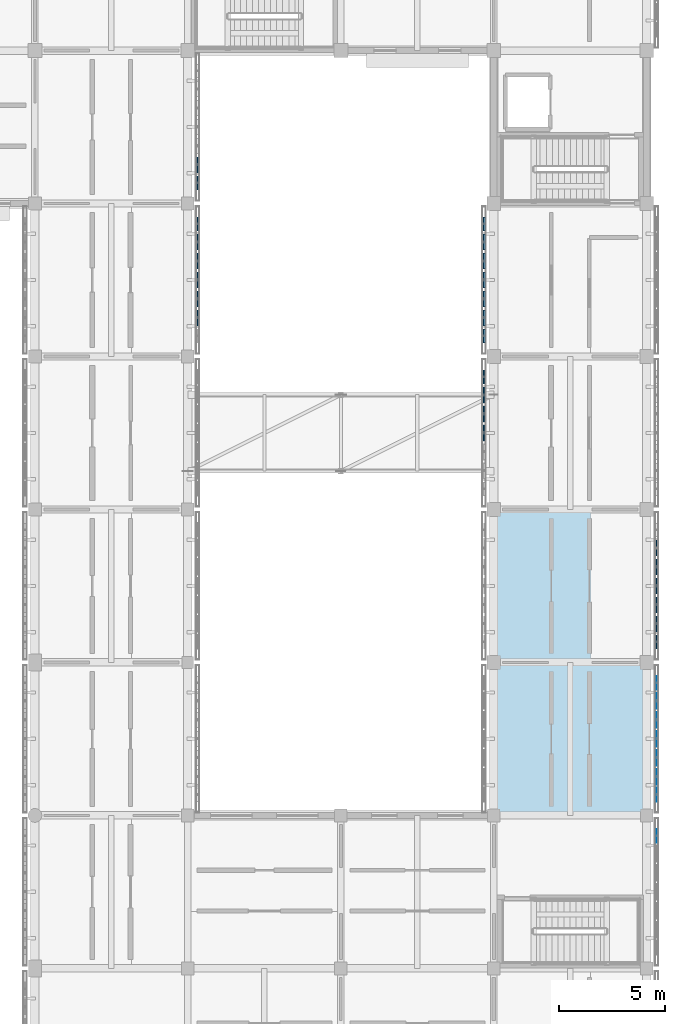
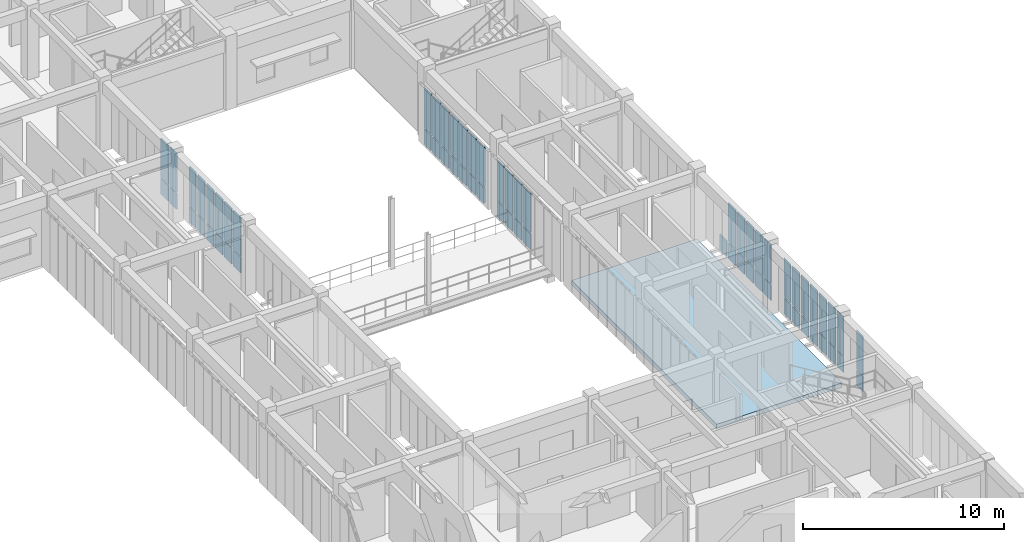
# One storey, part 110 of 171: 65 plates, 1 slab, 7 elements without a shape of their own.
"""IFC4 building model written with IfcOpenShell, lengths in metres."""

from ifc_helpers import new_model, si_unit, direction, frame, origin, origin_2d, place, context, subcontext, project, spatial, polyline, rectangle, outline, extrude, material, layer, layer_set, type_object, element, aggregate, save


model = new_model("IFC4")

# Units and contexts
model_context = context("Model", 3, precision=1e-05, world=origin(), true_north=direction((0.0, 1.0)))
body_context = subcontext(model_context, "Body", "Model", "MODEL_VIEW")
ifc_project = project(units=[si_unit("LENGTHUNIT", "METRE"), si_unit("AREAUNIT", "SQUARE_METRE"), si_unit("VOLUMEUNIT", "CUBIC_METRE"), si_unit("PLANEANGLEUNIT", "RADIAN"), si_unit("MASSUNIT", "GRAM", prefix="KILO")], contexts=[model_context])

# Site, building, storey
site_placement = place(None, origin())
site = spatial("IfcSite", under=ifc_project, at=site_placement, CompositionType="ELEMENT")
building_placement = place(site_placement, origin())
building = spatial("IfcBuilding", under=site, at=building_placement, Name="Aldebral Square Health Centre", CompositionType="ELEMENT")
storey_placement = place(building_placement, frame((0.0, 0.0, 4.5)))
storey = spatial("IfcBuildingStorey", under=building, at=storey_placement, Name="L01", CompositionType="ELEMENT", Elevation=4.5)

# Curtain wall, plates
ifc_material_1 = material(Name="Aluminium and low-E solar glass", Category="aluminium")
curtain_wall_type = type_object("IfcCurtainWallType", Name="CW-FIN-SYS", PredefinedType="USERDEFINED", material=ifc_material_1)
curtain_wall_1_placement = place(storey_placement, origin())
curtain_wall_1 = element("IfcCurtainWall", 1, at=curtain_wall_1_placement, inside=storey, type_object=curtain_wall_type, Name="L01 V5 finned curtain wall L01-V5-22-08-E", ObjectType="SOLAR_CURTAIN_WALL", PredefinedType="USERDEFINED")
ifc_material_2 = material(Name="Solar-control low-E double glass", Category="glass")
ifc_layer_1 = layer(ifc_material_2, 0.02001953125, Name="Solar-control low-E double glass", Category="glass")
ifc_layer_set_1 = layer_set([ifc_layer_1], Name="Solar-control low-E double glass")
plate_type_1 = type_object("IfcPlateType", Name="CWP-GLZ-1", PredefinedType="CURTAIN_PANEL", material=ifc_layer_set_1)
plate_1_placement = place(storey_placement, frame((166.06005859375, 63.834228515625, 0.074951171875), z_axis=(0.0, 0.0, 1.0), x_axis=(0.0, 1.0, 0.0)))
plate_1 = element("IfcPlate", 2, at=plate_1_placement, type_object=plate_type_1, Name="CW1 panel 7.1", PredefinedType="CURTAIN_PANEL", context=body_context, shape_type="SweptSolid", body=[
    extrude(rectangle(XDim=0.6513671875, YDim=0.02001953125, at=origin_2d()), origin(), (0.0, 0.0, 1.0), 0.9375),
])
plate_2_placement = place(storey_placement, frame((166.06005859375, 63.834228515625, 1.087646484375), z_axis=(0.0, 0.0, 1.0), x_axis=(0.0, 1.0, 0.0)))
plate_2 = element("IfcPlate", 3, at=plate_2_placement, type_object=plate_type_1, Name="CW1 panel 7.2", PredefinedType="CURTAIN_PANEL", context=body_context, shape_type="SweptSolid", body=[
    extrude(rectangle(XDim=0.6513671875, YDim=0.02001953125, at=origin_2d()), origin(), (0.0, 0.0, 1.0), 2.357421875),
])
aggregate(curtain_wall_1, [plate_1, plate_2])

curtain_wall_2_placement = place(storey_placement, origin())
curtain_wall_2 = element("IfcCurtainWall", 4, at=curtain_wall_2_placement, inside=storey, type_object=curtain_wall_type, Name="L01 V5 finned curtain wall L01-V5-22-09-E", ObjectType="SOLAR_CURTAIN_WALL", PredefinedType="USERDEFINED")
ifc_layer_2 = layer(ifc_material_2, 0.0400390625, Name="Solar-control low-E double glass", Category="glass")
ifc_layer_set_2 = layer_set([ifc_layer_2], Name="Solar-control low-E double glass")
plate_type_2 = type_object("IfcPlateType", Name="CWP-GLZ-3", PredefinedType="CURTAIN_PANEL", material=ifc_layer_set_2)
plate_3_placement = place(storey_placement, frame((166.06005859375, 65.765625, 0.074951171875), z_axis=(0.0, 0.0, 1.0), x_axis=(0.0, 1.0, 0.0)))
plate_3 = element("IfcPlate", 5, at=plate_3_placement, type_object=plate_type_2, Name="CW1 panel 1.1", PredefinedType="CURTAIN_PANEL", context=body_context, shape_type="SweptSolid", body=[
    extrude(rectangle(XDim=0.6513671875, YDim=0.0400390625, at=origin_2d()), origin(), (0.0, 0.0, 1.0), 0.9375),
])
plate_4_placement = place(storey_placement, frame((166.06005859375, 65.765625, 1.087646484375), z_axis=(0.0, 0.0, 1.0), x_axis=(0.0, 1.0, 0.0)))
plate_4 = element("IfcPlate", 6, at=plate_4_placement, type_object=plate_type_2, Name="CW1 panel 1.2", PredefinedType="CURTAIN_PANEL", context=body_context, shape_type="SweptSolid", body=[
    extrude(rectangle(XDim=0.6513671875, YDim=0.0400390625, at=origin_2d()), origin(), (0.0, 0.0, 1.0), 2.357421875),
])
plate_5_placement = place(storey_placement, frame((166.06005859375, 66.6171875, 0.074951171875), z_axis=(0.0, 0.0, 1.0), x_axis=(0.0, 1.0, 0.0)))
plate_5 = element("IfcPlate", 7, at=plate_5_placement, type_object=plate_type_2, Name="CW1 panel 2.1", PredefinedType="CURTAIN_PANEL", context=body_context, shape_type="SweptSolid", body=[
    extrude(rectangle(XDim=0.7314453125, YDim=0.0400390625, at=origin_2d()), origin(), (0.0, 0.0, 1.0), 0.9375),
])
plate_6_placement = place(storey_placement, frame((166.06005859375, 66.6171875, 1.087646484375), z_axis=(0.0, 0.0, 1.0), x_axis=(0.0, 1.0, 0.0)))
plate_6 = element("IfcPlate", 8, at=plate_6_placement, type_object=plate_type_2, Name="CW1 panel 2.2", PredefinedType="CURTAIN_PANEL", context=body_context, shape_type="SweptSolid", body=[
    extrude(rectangle(XDim=0.7314453125, YDim=0.0400390625, at=origin_2d()), origin(), (0.0, 0.0, 1.0), 2.357421875),
])
plate_7_placement = place(storey_placement, frame((166.06005859375, 67.508544921875, 0.074951171875), z_axis=(0.0, 0.0, 1.0), x_axis=(0.0, 1.0, 0.0)))
plate_7 = element("IfcPlate", 9, at=plate_7_placement, type_object=plate_type_2, Name="CW1 panel 3.1", PredefinedType="CURTAIN_PANEL", context=body_context, shape_type="SweptSolid", body=[
    extrude(rectangle(XDim=0.7314453125, YDim=0.0400390625, at=origin_2d()), origin(), (0.0, 0.0, 1.0), 0.9375),
])
plate_8_placement = place(storey_placement, frame((166.06005859375, 67.508544921875, 1.087646484375), z_axis=(0.0, 0.0, 1.0), x_axis=(0.0, 1.0, 0.0)))
plate_8 = element("IfcPlate", 10, at=plate_8_placement, type_object=plate_type_2, Name="CW1 panel 3.2", PredefinedType="CURTAIN_PANEL", context=body_context, shape_type="SweptSolid", body=[
    extrude(rectangle(XDim=0.7314453125, YDim=0.0400390625, at=origin_2d()), origin(), (0.0, 0.0, 1.0), 2.357421875),
])
plate_9_placement = place(storey_placement, frame((166.06005859375, 68.39990234375, 0.074951171875), z_axis=(0.0, 0.0, 1.0), x_axis=(0.0, 1.0, 0.0)))
plate_9 = element("IfcPlate", 11, at=plate_9_placement, type_object=plate_type_2, Name="CW1 panel 4.1", PredefinedType="CURTAIN_PANEL", context=body_context, shape_type="SweptSolid", body=[
    extrude(rectangle(XDim=0.7314453125, YDim=0.0400390625, at=origin_2d()), origin(), (0.0, 0.0, 1.0), 0.9375),
])
plate_10_placement = place(storey_placement, frame((166.06005859375, 68.39990234375, 1.087646484375), z_axis=(0.0, 0.0, 1.0), x_axis=(0.0, 1.0, 0.0)))
plate_10 = element("IfcPlate", 12, at=plate_10_placement, type_object=plate_type_2, Name="CW1 panel 4.2", PredefinedType="CURTAIN_PANEL", context=body_context, shape_type="SweptSolid", body=[
    extrude(rectangle(XDim=0.7314453125, YDim=0.0400390625, at=origin_2d()), origin(), (0.0, 0.0, 1.0), 2.357421875),
])
plate_11_placement = place(storey_placement, frame((166.06005859375, 69.29150390625, 0.074951171875), z_axis=(0.0, 0.0, 1.0), x_axis=(0.0, 1.0, 0.0)))
plate_11 = element("IfcPlate", 13, at=plate_11_placement, type_object=plate_type_2, Name="CW1 panel 5.1", PredefinedType="CURTAIN_PANEL", context=body_context, shape_type="SweptSolid", body=[
    extrude(rectangle(XDim=0.7314453125, YDim=0.0400390625, at=origin_2d()), origin(), (0.0, 0.0, 1.0), 0.9375),
])
plate_12_placement = place(storey_placement, frame((166.06005859375, 69.29150390625, 1.087646484375), z_axis=(0.0, 0.0, 1.0), x_axis=(0.0, 1.0, 0.0)))
plate_12 = element("IfcPlate", 14, at=plate_12_placement, type_object=plate_type_2, Name="CW1 panel 5.2", PredefinedType="CURTAIN_PANEL", context=body_context, shape_type="SweptSolid", body=[
    extrude(rectangle(XDim=0.7314453125, YDim=0.0400390625, at=origin_2d()), origin(), (0.0, 0.0, 1.0), 2.357421875),
])
plate_13_placement = place(storey_placement, frame((166.06005859375, 70.182861328125, 0.074951171875), z_axis=(0.0, 0.0, 1.0), x_axis=(0.0, 1.0, 0.0)))
plate_13 = element("IfcPlate", 15, at=plate_13_placement, type_object=plate_type_2, Name="CW1 panel 6.1", PredefinedType="CURTAIN_PANEL", context=body_context, shape_type="SweptSolid", body=[
    extrude(rectangle(XDim=0.7314453125, YDim=0.0400390625, at=origin_2d()), origin(), (0.0, 0.0, 1.0), 0.9375),
])
plate_14_placement = place(storey_placement, frame((166.06005859375, 70.182861328125, 1.087646484375), z_axis=(0.0, 0.0, 1.0), x_axis=(0.0, 1.0, 0.0)))
plate_14 = element("IfcPlate", 16, at=plate_14_placement, type_object=plate_type_2, Name="CW1 panel 6.2", PredefinedType="CURTAIN_PANEL", context=body_context, shape_type="SweptSolid", body=[
    extrude(rectangle(XDim=0.7314453125, YDim=0.0400390625, at=origin_2d()), origin(), (0.0, 0.0, 1.0), 2.357421875),
])
plate_15_placement = place(storey_placement, frame((166.06005859375, 71.0341796875, 0.074951171875), z_axis=(0.0, 0.0, 1.0), x_axis=(0.0, 1.0, 0.0)))
plate_15 = element("IfcPlate", 17, at=plate_15_placement, type_object=plate_type_2, Name="CW1 panel 7.1", PredefinedType="CURTAIN_PANEL", context=body_context, shape_type="SweptSolid", body=[
    extrude(rectangle(XDim=0.6513671875, YDim=0.0400390625, at=origin_2d()), origin(), (0.0, 0.0, 1.0), 0.9375),
])
plate_16_placement = place(storey_placement, frame((166.06005859375, 71.0341796875, 1.087646484375), z_axis=(0.0, 0.0, 1.0), x_axis=(0.0, 1.0, 0.0)))
plate_16 = element("IfcPlate", 18, at=plate_16_placement, type_object=plate_type_2, Name="CW1 panel 7.2", PredefinedType="CURTAIN_PANEL", context=body_context, shape_type="SweptSolid", body=[
    extrude(rectangle(XDim=0.6513671875, YDim=0.0400390625, at=origin_2d()), origin(), (0.0, 0.0, 1.0), 2.357421875),
])
aggregate(curtain_wall_2, [plate_3, plate_4, plate_5, plate_6, plate_7, plate_8, plate_9, plate_10, plate_11, plate_12, plate_13, plate_14, plate_15, plate_16])

curtain_wall_3_placement = place(storey_placement, origin())
curtain_wall_3 = element("IfcCurtainWall", 19, at=curtain_wall_3_placement, inside=storey, type_object=curtain_wall_type, Name="L01 V5 finned curtain wall L01-V5-19-12-E", ObjectType="SOLAR_CURTAIN_WALL", PredefinedType="USERDEFINED")
ifc_layer_3 = layer(ifc_material_2, 0.06005859375, Name="Solar-control low-E double glass", Category="glass")
ifc_layer_set_3 = layer_set([ifc_layer_3], Name="Solar-control low-E double glass")
plate_type_3 = type_object("IfcPlateType", Name="CWP-GLZ-5", PredefinedType="CURTAIN_PANEL", material=ifc_layer_set_3)
plate_17_placement = place(storey_placement, frame((144.4599609375, 88.217041015625, 0.074951171875), z_axis=(0.0, 0.0, 1.0), x_axis=(0.0, 1.0, 0.0)))
plate_17 = element("IfcPlate", 20, at=plate_17_placement, type_object=plate_type_3, Name="CW1 panel 2.1", PredefinedType="CURTAIN_PANEL", context=body_context, shape_type="SweptSolid", body=[
    extrude(rectangle(XDim=0.7314453125, YDim=0.06005859375, at=origin_2d()), origin(), (0.0, 0.0, 1.0), 0.9375),
])
plate_18_placement = place(storey_placement, frame((144.4599609375, 88.217041015625, 1.087646484375), z_axis=(0.0, 0.0, 1.0), x_axis=(0.0, 1.0, 0.0)))
plate_18 = element("IfcPlate", 21, at=plate_18_placement, type_object=plate_type_3, Name="CW1 panel 2.2", PredefinedType="CURTAIN_PANEL", context=body_context, shape_type="SweptSolid", body=[
    extrude(rectangle(XDim=0.7314453125, YDim=0.06005859375, at=origin_2d()), origin(), (0.0, 0.0, 1.0), 2.357421875),
])
plate_19_placement = place(storey_placement, frame((144.4599609375, 89.108642578125, 0.074951171875), z_axis=(0.0, 0.0, 1.0), x_axis=(0.0, 1.0, 0.0)))
plate_19 = element("IfcPlate", 22, at=plate_19_placement, type_object=plate_type_3, Name="CW1 panel 3.1", PredefinedType="CURTAIN_PANEL", context=body_context, shape_type="SweptSolid", body=[
    extrude(rectangle(XDim=0.7314453125, YDim=0.06005859375, at=origin_2d()), origin(), (0.0, 0.0, 1.0), 0.9375),
])
plate_20_placement = place(storey_placement, frame((144.4599609375, 89.108642578125, 1.087646484375), z_axis=(0.0, 0.0, 1.0), x_axis=(0.0, 1.0, 0.0)))
plate_20 = element("IfcPlate", 23, at=plate_20_placement, type_object=plate_type_3, Name="CW1 panel 3.2", PredefinedType="CURTAIN_PANEL", context=body_context, shape_type="SweptSolid", body=[
    extrude(rectangle(XDim=0.7314453125, YDim=0.06005859375, at=origin_2d()), origin(), (0.0, 0.0, 1.0), 2.357421875),
])
plate_21_placement = place(storey_placement, frame((144.4599609375, 90.0, 0.074951171875), z_axis=(0.0, 0.0, 1.0), x_axis=(0.0, 1.0, 0.0)))
plate_21 = element("IfcPlate", 24, at=plate_21_placement, type_object=plate_type_3, Name="CW1 panel 4.1", PredefinedType="CURTAIN_PANEL", context=body_context, shape_type="SweptSolid", body=[
    extrude(rectangle(XDim=0.7314453125, YDim=0.06005859375, at=origin_2d()), origin(), (0.0, 0.0, 1.0), 0.9375),
])
plate_22_placement = place(storey_placement, frame((144.4599609375, 90.0, 1.087646484375), z_axis=(0.0, 0.0, 1.0), x_axis=(0.0, 1.0, 0.0)))
plate_22 = element("IfcPlate", 25, at=plate_22_placement, type_object=plate_type_3, Name="CW1 panel 4.2", PredefinedType="CURTAIN_PANEL", context=body_context, shape_type="SweptSolid", body=[
    extrude(rectangle(XDim=0.7314453125, YDim=0.06005859375, at=origin_2d()), origin(), (0.0, 0.0, 1.0), 2.357421875),
])
plate_23_placement = place(storey_placement, frame((144.4599609375, 90.891357421875, 0.074951171875), z_axis=(0.0, 0.0, 1.0), x_axis=(0.0, 1.0, 0.0)))
plate_23 = element("IfcPlate", 26, at=plate_23_placement, type_object=plate_type_3, Name="CW1 panel 5.1", PredefinedType="CURTAIN_PANEL", context=body_context, shape_type="SweptSolid", body=[
    extrude(rectangle(XDim=0.7314453125, YDim=0.06005859375, at=origin_2d()), origin(), (0.0, 0.0, 1.0), 0.9375),
])
plate_24_placement = place(storey_placement, frame((144.4599609375, 90.891357421875, 1.087646484375), z_axis=(0.0, 0.0, 1.0), x_axis=(0.0, 1.0, 0.0)))
plate_24 = element("IfcPlate", 27, at=plate_24_placement, type_object=plate_type_3, Name="CW1 panel 5.2", PredefinedType="CURTAIN_PANEL", context=body_context, shape_type="SweptSolid", body=[
    extrude(rectangle(XDim=0.7314453125, YDim=0.06005859375, at=origin_2d()), origin(), (0.0, 0.0, 1.0), 2.357421875),
])
plate_25_placement = place(storey_placement, frame((144.4599609375, 91.782958984375, 0.074951171875), z_axis=(0.0, 0.0, 1.0), x_axis=(0.0, 1.0, 0.0)))
plate_25 = element("IfcPlate", 28, at=plate_25_placement, type_object=plate_type_3, Name="CW1 panel 6.1", PredefinedType="CURTAIN_PANEL", context=body_context, shape_type="SweptSolid", body=[
    extrude(rectangle(XDim=0.7314453125, YDim=0.06005859375, at=origin_2d()), origin(), (0.0, 0.0, 1.0), 0.9375),
])
plate_26_placement = place(storey_placement, frame((144.4599609375, 91.782958984375, 1.087646484375), z_axis=(0.0, 0.0, 1.0), x_axis=(0.0, 1.0, 0.0)))
plate_26 = element("IfcPlate", 29, at=plate_26_placement, type_object=plate_type_3, Name="CW1 panel 6.2", PredefinedType="CURTAIN_PANEL", context=body_context, shape_type="SweptSolid", body=[
    extrude(rectangle(XDim=0.7314453125, YDim=0.06005859375, at=origin_2d()), origin(), (0.0, 0.0, 1.0), 2.357421875),
])
plate_27_placement = place(storey_placement, frame((144.4599609375, 92.63427734375, 0.074951171875), z_axis=(0.0, 0.0, 1.0), x_axis=(0.0, 1.0, 0.0)))
plate_27 = element("IfcPlate", 30, at=plate_27_placement, type_object=plate_type_3, Name="CW1 panel 7.1", PredefinedType="CURTAIN_PANEL", context=body_context, shape_type="SweptSolid", body=[
    extrude(rectangle(XDim=0.6513671875, YDim=0.06005859375, at=origin_2d()), origin(), (0.0, 0.0, 1.0), 0.9375),
])
plate_28_placement = place(storey_placement, frame((144.4599609375, 92.63427734375, 1.087646484375), z_axis=(0.0, 0.0, 1.0), x_axis=(0.0, 1.0, 0.0)))
plate_28 = element("IfcPlate", 31, at=plate_28_placement, type_object=plate_type_3, Name="CW1 panel 7.2", PredefinedType="CURTAIN_PANEL", context=body_context, shape_type="SweptSolid", body=[
    extrude(rectangle(XDim=0.6513671875, YDim=0.06005859375, at=origin_2d()), origin(), (0.0, 0.0, 1.0), 2.357421875),
])
aggregate(curtain_wall_3, [plate_17, plate_18, plate_19, plate_20, plate_21, plate_22, plate_23, plate_24, plate_25, plate_26, plate_27, plate_28])

curtain_wall_4_placement = place(storey_placement, origin())
curtain_wall_4 = element("IfcCurtainWall", 32, at=curtain_wall_4_placement, inside=storey, type_object=curtain_wall_type, Name="L01 V5 finned curtain wall L01-V5-22-10-E", ObjectType="SOLAR_CURTAIN_WALL", PredefinedType="USERDEFINED")
plate_29_placement = place(storey_placement, frame((166.06005859375, 72.9658203125, 0.074951171875), z_axis=(0.0, 0.0, 1.0), x_axis=(0.0, 1.0, 0.0)))
plate_29 = element("IfcPlate", 33, at=plate_29_placement, type_object=plate_type_3, Name="CW1 panel 1.1", PredefinedType="CURTAIN_PANEL", context=body_context, shape_type="SweptSolid", body=[
    extrude(rectangle(XDim=0.6513671875, YDim=0.06005859375, at=origin_2d()), origin(), (0.0, 0.0, 1.0), 0.9375),
])
plate_30_placement = place(storey_placement, frame((166.06005859375, 72.9658203125, 1.087646484375), z_axis=(0.0, 0.0, 1.0), x_axis=(0.0, 1.0, 0.0)))
plate_30 = element("IfcPlate", 34, at=plate_30_placement, type_object=plate_type_3, Name="CW1 panel 1.2", PredefinedType="CURTAIN_PANEL", context=body_context, shape_type="SweptSolid", body=[
    extrude(rectangle(XDim=0.6513671875, YDim=0.06005859375, at=origin_2d()), origin(), (0.0, 0.0, 1.0), 2.357421875),
])
plate_31_placement = place(storey_placement, frame((166.06005859375, 73.817138671875, 0.074951171875), z_axis=(0.0, 0.0, 1.0), x_axis=(0.0, 1.0, 0.0)))
plate_31 = element("IfcPlate", 35, at=plate_31_placement, type_object=plate_type_3, Name="CW1 panel 2.1", PredefinedType="CURTAIN_PANEL", context=body_context, shape_type="SweptSolid", body=[
    extrude(rectangle(XDim=0.7314453125, YDim=0.06005859375, at=origin_2d()), origin(), (0.0, 0.0, 1.0), 0.9375),
])
plate_32_placement = place(storey_placement, frame((166.06005859375, 73.817138671875, 1.087646484375), z_axis=(0.0, 0.0, 1.0), x_axis=(0.0, 1.0, 0.0)))
plate_32 = element("IfcPlate", 36, at=plate_32_placement, type_object=plate_type_3, Name="CW1 panel 2.2", PredefinedType="CURTAIN_PANEL", context=body_context, shape_type="SweptSolid", body=[
    extrude(rectangle(XDim=0.7314453125, YDim=0.06005859375, at=origin_2d()), origin(), (0.0, 0.0, 1.0), 2.357421875),
])
plate_33_placement = place(storey_placement, frame((166.06005859375, 74.70849609375, 0.074951171875), z_axis=(0.0, 0.0, 1.0), x_axis=(0.0, 1.0, 0.0)))
plate_33 = element("IfcPlate", 37, at=plate_33_placement, type_object=plate_type_3, Name="CW1 panel 3.1", PredefinedType="CURTAIN_PANEL", context=body_context, shape_type="SweptSolid", body=[
    extrude(rectangle(XDim=0.7314453125, YDim=0.06005859375, at=origin_2d()), origin(), (0.0, 0.0, 1.0), 0.9375),
])
plate_34_placement = place(storey_placement, frame((166.06005859375, 74.70849609375, 1.087646484375), z_axis=(0.0, 0.0, 1.0), x_axis=(0.0, 1.0, 0.0)))
plate_34 = element("IfcPlate", 38, at=plate_34_placement, type_object=plate_type_3, Name="CW1 panel 3.2", PredefinedType="CURTAIN_PANEL", context=body_context, shape_type="SweptSolid", body=[
    extrude(rectangle(XDim=0.7314453125, YDim=0.06005859375, at=origin_2d()), origin(), (0.0, 0.0, 1.0), 2.357421875),
])
plate_35_placement = place(storey_placement, frame((166.06005859375, 75.60009765625, 0.074951171875), z_axis=(0.0, 0.0, 1.0), x_axis=(0.0, 1.0, 0.0)))
plate_35 = element("IfcPlate", 39, at=plate_35_placement, type_object=plate_type_3, Name="CW1 panel 4.1", PredefinedType="CURTAIN_PANEL", context=body_context, shape_type="SweptSolid", body=[
    extrude(rectangle(XDim=0.7314453125, YDim=0.06005859375, at=origin_2d()), origin(), (0.0, 0.0, 1.0), 0.9375),
])
plate_36_placement = place(storey_placement, frame((166.06005859375, 75.60009765625, 1.087646484375), z_axis=(0.0, 0.0, 1.0), x_axis=(0.0, 1.0, 0.0)))
plate_36 = element("IfcPlate", 40, at=plate_36_placement, type_object=plate_type_3, Name="CW1 panel 4.2", PredefinedType="CURTAIN_PANEL", context=body_context, shape_type="SweptSolid", body=[
    extrude(rectangle(XDim=0.7314453125, YDim=0.06005859375, at=origin_2d()), origin(), (0.0, 0.0, 1.0), 2.357421875),
])
plate_37_placement = place(storey_placement, frame((166.06005859375, 76.491455078125, 0.074951171875), z_axis=(0.0, 0.0, 1.0), x_axis=(0.0, 1.0, 0.0)))
plate_37 = element("IfcPlate", 41, at=plate_37_placement, type_object=plate_type_3, Name="CW1 panel 5.1", PredefinedType="CURTAIN_PANEL", context=body_context, shape_type="SweptSolid", body=[
    extrude(rectangle(XDim=0.7314453125, YDim=0.06005859375, at=origin_2d()), origin(), (0.0, 0.0, 1.0), 0.9375),
])
plate_38_placement = place(storey_placement, frame((166.06005859375, 76.491455078125, 1.087646484375), z_axis=(0.0, 0.0, 1.0), x_axis=(0.0, 1.0, 0.0)))
plate_38 = element("IfcPlate", 42, at=plate_38_placement, type_object=plate_type_3, Name="CW1 panel 5.2", PredefinedType="CURTAIN_PANEL", context=body_context, shape_type="SweptSolid", body=[
    extrude(rectangle(XDim=0.7314453125, YDim=0.06005859375, at=origin_2d()), origin(), (0.0, 0.0, 1.0), 2.357421875),
])
plate_39_placement = place(storey_placement, frame((166.06005859375, 77.3828125, 0.074951171875), z_axis=(0.0, 0.0, 1.0), x_axis=(0.0, 1.0, 0.0)))
plate_39 = element("IfcPlate", 43, at=plate_39_placement, type_object=plate_type_3, Name="CW1 panel 6.1", PredefinedType="CURTAIN_PANEL", context=body_context, shape_type="SweptSolid", body=[
    extrude(rectangle(XDim=0.7314453125, YDim=0.06005859375, at=origin_2d()), origin(), (0.0, 0.0, 1.0), 0.9375),
])
aggregate(curtain_wall_4, [plate_29, plate_30, plate_31, plate_32, plate_33, plate_34, plate_35, plate_36, plate_37, plate_38, plate_39])

curtain_wall_5_placement = place(storey_placement, origin())
curtain_wall_5 = element("IfcCurtainWall", 44, at=curtain_wall_5_placement, inside=storey, type_object=curtain_wall_type, Name="L01 V5 finned curtain wall L01-V5-19-13-E", ObjectType="SOLAR_CURTAIN_WALL", PredefinedType="USERDEFINED")
ifc_layer_4 = layer(ifc_material_2, 0.070068359375, Name="Solar-control low-E double glass", Category="glass")
ifc_layer_set_4 = layer_set([ifc_layer_4], Name="Solar-control low-E double glass")
plate_type_4 = type_object("IfcPlateType", Name="CWP-GLZ-6", PredefinedType="CURTAIN_PANEL", material=ifc_layer_set_4)
plate_40_placement = place(storey_placement, frame((144.4599609375, 94.565673828125, 0.074951171875), z_axis=(0.0, 0.0, 1.0), x_axis=(0.0, 1.0, 0.0)))
plate_40 = element("IfcPlate", 45, at=plate_40_placement, type_object=plate_type_4, Name="CW1 panel 1.1", PredefinedType="CURTAIN_PANEL", context=body_context, shape_type="SweptSolid", body=[
    extrude(rectangle(XDim=0.6513671875, YDim=0.070068359375, at=origin_2d()), origin(), (0.0, 0.0, 1.0), 0.9375),
])
plate_41_placement = place(storey_placement, frame((144.4599609375, 94.565673828125, 1.087646484375), z_axis=(0.0, 0.0, 1.0), x_axis=(0.0, 1.0, 0.0)))
plate_41 = element("IfcPlate", 46, at=plate_41_placement, type_object=plate_type_4, Name="CW1 panel 1.2", PredefinedType="CURTAIN_PANEL", context=body_context, shape_type="SweptSolid", body=[
    extrude(rectangle(XDim=0.6513671875, YDim=0.070068359375, at=origin_2d()), origin(), (0.0, 0.0, 1.0), 2.357421875),
])
plate_42_placement = place(storey_placement, frame((144.4599609375, 95.417236328125, 0.074951171875), z_axis=(0.0, 0.0, 1.0), x_axis=(0.0, 1.0, 0.0)))
plate_42 = element("IfcPlate", 47, at=plate_42_placement, type_object=plate_type_4, Name="CW1 panel 2.1", PredefinedType="CURTAIN_PANEL", context=body_context, shape_type="SweptSolid", body=[
    extrude(rectangle(XDim=0.7314453125, YDim=0.070068359375, at=origin_2d()), origin(), (0.0, 0.0, 1.0), 0.9375),
])
plate_43_placement = place(storey_placement, frame((144.4599609375, 95.417236328125, 1.087646484375), z_axis=(0.0, 0.0, 1.0), x_axis=(0.0, 1.0, 0.0)))
plate_43 = element("IfcPlate", 48, at=plate_43_placement, type_object=plate_type_4, Name="CW1 panel 2.2", PredefinedType="CURTAIN_PANEL", context=body_context, shape_type="SweptSolid", body=[
    extrude(rectangle(XDim=0.7314453125, YDim=0.070068359375, at=origin_2d()), origin(), (0.0, 0.0, 1.0), 2.357421875),
])
aggregate(curtain_wall_5, [plate_40, plate_41, plate_42, plate_43])

curtain_wall_6_placement = place(storey_placement, origin())
curtain_wall_6 = element("IfcCurtainWall", 49, at=curtain_wall_6_placement, inside=storey, type_object=curtain_wall_type, Name="L01 V5 finned curtain wall L01-V5-22-11-W", ObjectType="SOLAR_CURTAIN_WALL", PredefinedType="USERDEFINED")
plate_44_placement = place(storey_placement, frame((157.93994140625, 85.434326171875, 0.074951171875), z_axis=(0.0, 0.0, 1.0), x_axis=(0.0, -1.0, 0.0)))
plate_44 = element("IfcPlate", 50, at=plate_44_placement, type_object=plate_type_4, Name="CW1 panel 1.1", PredefinedType="CURTAIN_PANEL", context=body_context, shape_type="SweptSolid", body=[
    extrude(rectangle(XDim=0.6513671875, YDim=0.070068359375, at=origin_2d()), origin(), (0.0, 0.0, 1.0), 0.9375),
])
plate_45_placement = place(storey_placement, frame((157.93994140625, 85.434326171875, 1.087646484375), z_axis=(0.0, 0.0, 1.0), x_axis=(0.0, -1.0, 0.0)))
plate_45 = element("IfcPlate", 51, at=plate_45_placement, type_object=plate_type_4, Name="CW1 panel 1.2", PredefinedType="CURTAIN_PANEL", context=body_context, shape_type="SweptSolid", body=[
    extrude(rectangle(XDim=0.6513671875, YDim=0.070068359375, at=origin_2d()), origin(), (0.0, 0.0, 1.0), 2.357421875),
])
plate_46_placement = place(storey_placement, frame((157.93994140625, 84.582763671875, 0.074951171875), z_axis=(0.0, 0.0, 1.0), x_axis=(0.0, -1.0, 0.0)))
plate_46 = element("IfcPlate", 52, at=plate_46_placement, type_object=plate_type_4, Name="CW1 panel 2.1", PredefinedType="CURTAIN_PANEL", context=body_context, shape_type="SweptSolid", body=[
    extrude(rectangle(XDim=0.7314453125, YDim=0.070068359375, at=origin_2d()), origin(), (0.0, 0.0, 1.0), 0.9375),
])
plate_47_placement = place(storey_placement, frame((157.93994140625, 84.582763671875, 1.087646484375), z_axis=(0.0, 0.0, 1.0), x_axis=(0.0, -1.0, 0.0)))
plate_47 = element("IfcPlate", 53, at=plate_47_placement, type_object=plate_type_4, Name="CW1 panel 2.2", PredefinedType="CURTAIN_PANEL", context=body_context, shape_type="SweptSolid", body=[
    extrude(rectangle(XDim=0.7314453125, YDim=0.070068359375, at=origin_2d()), origin(), (0.0, 0.0, 1.0), 2.357421875),
])
plate_48_placement = place(storey_placement, frame((157.93994140625, 83.69140625, 0.074951171875), z_axis=(0.0, 0.0, 1.0), x_axis=(0.0, -1.0, 0.0)))
plate_48 = element("IfcPlate", 54, at=plate_48_placement, type_object=plate_type_4, Name="CW1 panel 3.1", PredefinedType="CURTAIN_PANEL", context=body_context, shape_type="SweptSolid", body=[
    extrude(rectangle(XDim=0.7314453125, YDim=0.070068359375, at=origin_2d()), origin(), (0.0, 0.0, 1.0), 0.9375),
])
plate_49_placement = place(storey_placement, frame((157.93994140625, 83.69140625, 1.087646484375), z_axis=(0.0, 0.0, 1.0), x_axis=(0.0, -1.0, 0.0)))
plate_49 = element("IfcPlate", 55, at=plate_49_placement, type_object=plate_type_4, Name="CW1 panel 3.2", PredefinedType="CURTAIN_PANEL", context=body_context, shape_type="SweptSolid", body=[
    extrude(rectangle(XDim=0.7314453125, YDim=0.070068359375, at=origin_2d()), origin(), (0.0, 0.0, 1.0), 2.357421875),
])
plate_50_placement = place(storey_placement, frame((157.93994140625, 82.800048828125, 0.074951171875), z_axis=(0.0, 0.0, 1.0), x_axis=(0.0, -1.0, 0.0)))
plate_50 = element("IfcPlate", 56, at=plate_50_placement, type_object=plate_type_4, Name="CW1 panel 4.1", PredefinedType="CURTAIN_PANEL", context=body_context, shape_type="SweptSolid", body=[
    extrude(rectangle(XDim=0.7314453125, YDim=0.070068359375, at=origin_2d()), origin(), (0.0, 0.0, 1.0), 0.9375),
])
plate_51_placement = place(storey_placement, frame((157.93994140625, 82.800048828125, 1.087646484375), z_axis=(0.0, 0.0, 1.0), x_axis=(0.0, -1.0, 0.0)))
plate_51 = element("IfcPlate", 57, at=plate_51_placement, type_object=plate_type_4, Name="CW1 panel 4.2", PredefinedType="CURTAIN_PANEL", context=body_context, shape_type="SweptSolid", body=[
    extrude(rectangle(XDim=0.7314453125, YDim=0.070068359375, at=origin_2d()), origin(), (0.0, 0.0, 1.0), 2.357421875),
])
aggregate(curtain_wall_6, [plate_44, plate_45, plate_46, plate_47, plate_48, plate_49, plate_50, plate_51])

curtain_wall_7_placement = place(storey_placement, origin())
curtain_wall_7 = element("IfcCurtainWall", 58, at=curtain_wall_7_placement, inside=storey, type_object=curtain_wall_type, Name="L01 V5 finned curtain wall L01-V5-22-12-W", ObjectType="SOLAR_CURTAIN_WALL", PredefinedType="USERDEFINED")
ifc_layer_5 = layer(ifc_material_2, 0.090087890625, Name="Solar-control low-E double glass", Category="glass")
ifc_layer_set_5 = layer_set([ifc_layer_5], Name="Solar-control low-E double glass")
plate_type_5 = type_object("IfcPlateType", Name="CWP-GLZ-8", PredefinedType="CURTAIN_PANEL", material=ifc_layer_set_5)
plate_52_placement = place(storey_placement, frame((157.93994140625, 92.63427734375, 0.074951171875), z_axis=(0.0, 0.0, 1.0), x_axis=(0.0, -1.0, 0.0)))
plate_52 = element("IfcPlate", 59, at=plate_52_placement, type_object=plate_type_5, Name="CW1 panel 1.1", PredefinedType="CURTAIN_PANEL", context=body_context, shape_type="SweptSolid", body=[
    extrude(rectangle(XDim=0.6513671875, YDim=0.090087890625, at=origin_2d()), origin(), (0.0, 0.0, 1.0), 0.9375),
])
plate_53_placement = place(storey_placement, frame((157.93994140625, 92.63427734375, 1.087646484375), z_axis=(0.0, 0.0, 1.0), x_axis=(0.0, -1.0, 0.0)))
plate_53 = element("IfcPlate", 60, at=plate_53_placement, type_object=plate_type_5, Name="CW1 panel 1.2", PredefinedType="CURTAIN_PANEL", context=body_context, shape_type="SweptSolid", body=[
    extrude(rectangle(XDim=0.6513671875, YDim=0.090087890625, at=origin_2d()), origin(), (0.0, 0.0, 1.0), 2.357421875),
])
plate_54_placement = place(storey_placement, frame((157.93994140625, 91.782958984375, 0.074951171875), z_axis=(0.0, 0.0, 1.0), x_axis=(0.0, -1.0, 0.0)))
plate_54 = element("IfcPlate", 61, at=plate_54_placement, type_object=plate_type_5, Name="CW1 panel 2.1", PredefinedType="CURTAIN_PANEL", context=body_context, shape_type="SweptSolid", body=[
    extrude(rectangle(XDim=0.7314453125, YDim=0.090087890625, at=origin_2d()), origin(), (0.0, 0.0, 1.0), 0.9375),
])
plate_55_placement = place(storey_placement, frame((157.93994140625, 91.782958984375, 1.087646484375), z_axis=(0.0, 0.0, 1.0), x_axis=(0.0, -1.0, 0.0)))
plate_55 = element("IfcPlate", 62, at=plate_55_placement, type_object=plate_type_5, Name="CW1 panel 2.2", PredefinedType="CURTAIN_PANEL", context=body_context, shape_type="SweptSolid", body=[
    extrude(rectangle(XDim=0.7314453125, YDim=0.090087890625, at=origin_2d()), origin(), (0.0, 0.0, 1.0), 2.357421875),
])
plate_56_placement = place(storey_placement, frame((157.93994140625, 90.891357421875, 0.074951171875), z_axis=(0.0, 0.0, 1.0), x_axis=(0.0, -1.0, 0.0)))
plate_56 = element("IfcPlate", 63, at=plate_56_placement, type_object=plate_type_5, Name="CW1 panel 3.1", PredefinedType="CURTAIN_PANEL", context=body_context, shape_type="SweptSolid", body=[
    extrude(rectangle(XDim=0.7314453125, YDim=0.090087890625, at=origin_2d()), origin(), (0.0, 0.0, 1.0), 0.9375),
])
plate_57_placement = place(storey_placement, frame((157.93994140625, 90.891357421875, 1.087646484375), z_axis=(0.0, 0.0, 1.0), x_axis=(0.0, -1.0, 0.0)))
plate_57 = element("IfcPlate", 64, at=plate_57_placement, type_object=plate_type_5, Name="CW1 panel 3.2", PredefinedType="CURTAIN_PANEL", context=body_context, shape_type="SweptSolid", body=[
    extrude(rectangle(XDim=0.7314453125, YDim=0.090087890625, at=origin_2d()), origin(), (0.0, 0.0, 1.0), 2.357421875),
])
plate_58_placement = place(storey_placement, frame((157.93994140625, 90.0, 0.074951171875), z_axis=(0.0, 0.0, 1.0), x_axis=(0.0, -1.0, 0.0)))
plate_58 = element("IfcPlate", 65, at=plate_58_placement, type_object=plate_type_5, Name="CW1 panel 4.1", PredefinedType="CURTAIN_PANEL", context=body_context, shape_type="SweptSolid", body=[
    extrude(rectangle(XDim=0.7314453125, YDim=0.090087890625, at=origin_2d()), origin(), (0.0, 0.0, 1.0), 0.9375),
])
plate_59_placement = place(storey_placement, frame((157.93994140625, 90.0, 1.087646484375), z_axis=(0.0, 0.0, 1.0), x_axis=(0.0, -1.0, 0.0)))
plate_59 = element("IfcPlate", 66, at=plate_59_placement, type_object=plate_type_5, Name="CW1 panel 4.2", PredefinedType="CURTAIN_PANEL", context=body_context, shape_type="SweptSolid", body=[
    extrude(rectangle(XDim=0.7314453125, YDim=0.090087890625, at=origin_2d()), origin(), (0.0, 0.0, 1.0), 2.357421875),
])
plate_60_placement = place(storey_placement, frame((157.93994140625, 89.108642578125, 0.074951171875), z_axis=(0.0, 0.0, 1.0), x_axis=(0.0, -1.0, 0.0)))
plate_60 = element("IfcPlate", 67, at=plate_60_placement, type_object=plate_type_5, Name="CW1 panel 5.1", PredefinedType="CURTAIN_PANEL", context=body_context, shape_type="SweptSolid", body=[
    extrude(rectangle(XDim=0.7314453125, YDim=0.090087890625, at=origin_2d()), origin(), (0.0, 0.0, 1.0), 0.9375),
])
plate_61_placement = place(storey_placement, frame((157.93994140625, 89.108642578125, 1.087646484375), z_axis=(0.0, 0.0, 1.0), x_axis=(0.0, -1.0, 0.0)))
plate_61 = element("IfcPlate", 68, at=plate_61_placement, type_object=plate_type_5, Name="CW1 panel 5.2", PredefinedType="CURTAIN_PANEL", context=body_context, shape_type="SweptSolid", body=[
    extrude(rectangle(XDim=0.7314453125, YDim=0.090087890625, at=origin_2d()), origin(), (0.0, 0.0, 1.0), 2.357421875),
])
plate_62_placement = place(storey_placement, frame((157.93994140625, 88.217041015625, 0.074951171875), z_axis=(0.0, 0.0, 1.0), x_axis=(0.0, -1.0, 0.0)))
plate_62 = element("IfcPlate", 69, at=plate_62_placement, type_object=plate_type_5, Name="CW1 panel 6.1", PredefinedType="CURTAIN_PANEL", context=body_context, shape_type="SweptSolid", body=[
    extrude(rectangle(XDim=0.7314453125, YDim=0.090087890625, at=origin_2d()), origin(), (0.0, 0.0, 1.0), 0.9375),
])
plate_63_placement = place(storey_placement, frame((157.93994140625, 88.217041015625, 1.087646484375), z_axis=(0.0, 0.0, 1.0), x_axis=(0.0, -1.0, 0.0)))
plate_63 = element("IfcPlate", 70, at=plate_63_placement, type_object=plate_type_5, Name="CW1 panel 6.2", PredefinedType="CURTAIN_PANEL", context=body_context, shape_type="SweptSolid", body=[
    extrude(rectangle(XDim=0.7314453125, YDim=0.090087890625, at=origin_2d()), origin(), (0.0, 0.0, 1.0), 2.357421875),
])
plate_64_placement = place(storey_placement, frame((157.93994140625, 87.36572265625, 0.074951171875), z_axis=(0.0, 0.0, 1.0), x_axis=(0.0, -1.0, 0.0)))
plate_64 = element("IfcPlate", 71, at=plate_64_placement, type_object=plate_type_5, Name="CW1 panel 7.1", PredefinedType="CURTAIN_PANEL", context=body_context, shape_type="SweptSolid", body=[
    extrude(rectangle(XDim=0.6513671875, YDim=0.090087890625, at=origin_2d()), origin(), (0.0, 0.0, 1.0), 0.9375),
])
plate_65_placement = place(storey_placement, frame((157.93994140625, 87.36572265625, 1.087646484375), z_axis=(0.0, 0.0, 1.0), x_axis=(0.0, -1.0, 0.0)))
plate_65 = element("IfcPlate", 72, at=plate_65_placement, type_object=plate_type_5, Name="CW1 panel 7.2", PredefinedType="CURTAIN_PANEL", context=body_context, shape_type="SweptSolid", body=[
    extrude(rectangle(XDim=0.6513671875, YDim=0.090087890625, at=origin_2d()), origin(), (0.0, 0.0, 1.0), 2.357421875),
])
aggregate(curtain_wall_7, [plate_52, plate_53, plate_54, plate_55, plate_56, plate_57, plate_58, plate_59, plate_60, plate_61, plate_62, plate_63, plate_64, plate_65])

# Slab
ifc_material_3 = material(Name="Concrete C35/45", Category="concrete")
ifc_layer_6 = layer(ifc_material_3, 0.27001953125, Name="Concrete C35/45", Category="concrete")
ifc_layer_set_6 = layer_set([ifc_layer_6], Name="Concrete C35/45")
slab_type = type_object("IfcSlabType", Name="SL-FLR-270", PredefinedType="FLOOR", material=ifc_layer_set_6)
slab_placement = place(storey_placement, frame((0.0, 0.0, -0.27001953125)))
element("IfcSlab", 73, at=slab_placement, inside=storey, type_object=slab_type, Name="L01 V5 floor slab 11", PredefinedType="FLOOR", context=body_context, shape_type="SweptSolid", body=[
    extrude(outline(polyline([(158.39990234375, 64.800048828125), (158.39990234375, 72.0), (158.39990234375, 79.199951171875), (165.60009765625, 79.199951171875), (165.60009765625, 72.0), (165.60009765625, 64.800048828125), (158.39990234375, 64.800048828125)])), origin(), (0.0, 0.0, 1.0), 0.27001953125),
])

save(model, "model.ifc")
